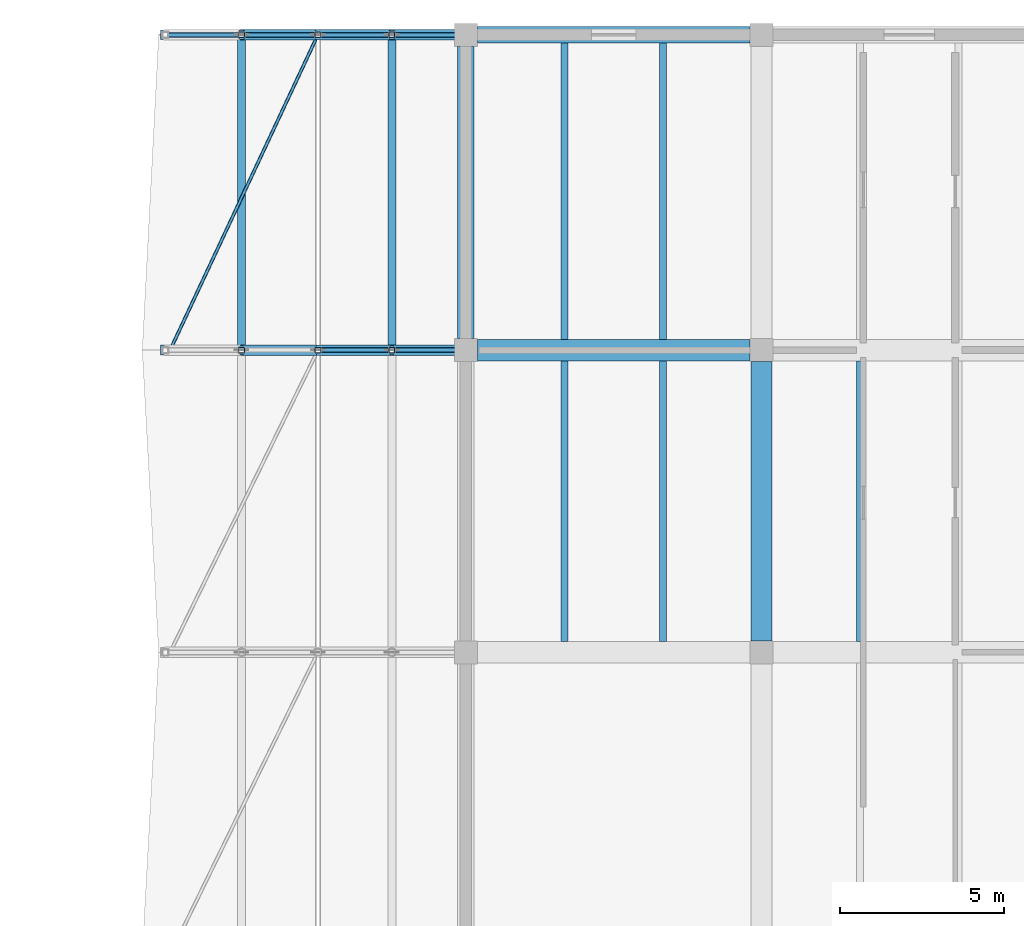
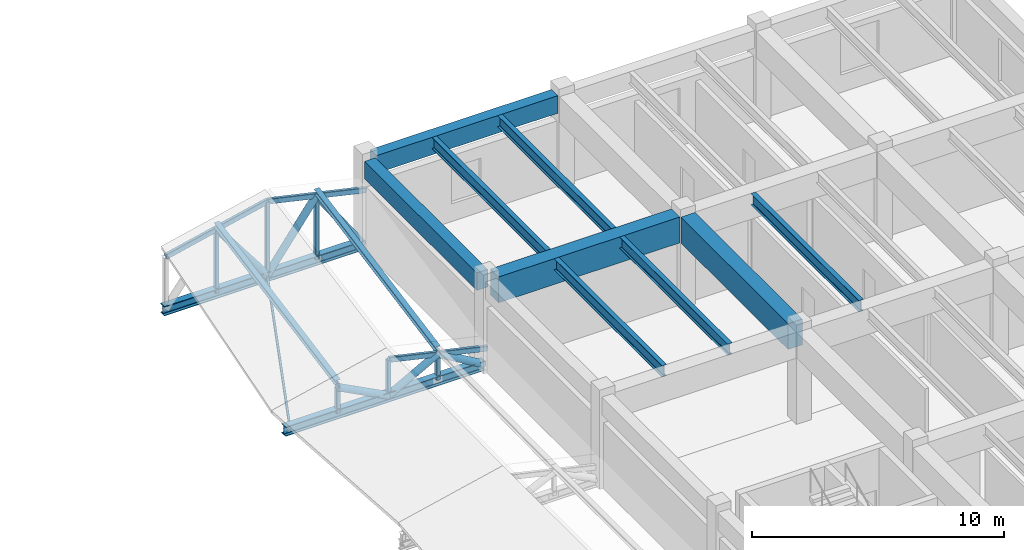
# One storey, part 45 of 90: 18 members, 11 beams.
"""IFC4 building model written with IfcOpenShell, lengths in metres."""

from ifc_helpers import new_model, si_unit, direction, frame, origin, origin_2d, place, context, subcontext, project, spatial, rectangle, hollow_rectangle, hollow_circle, i_section, extrude, material, material_profile, profile_set, type_object, element, save


model = new_model("IFC4")

# Units and contexts
model_context = context("Model", 3, precision=1e-05, world=origin(), true_north=direction((0.0, 1.0)))
body_context = subcontext(model_context, "Body", "Model", "MODEL_VIEW")
ifc_project = project(units=[si_unit("LENGTHUNIT", "METRE"), si_unit("AREAUNIT", "SQUARE_METRE"), si_unit("VOLUMEUNIT", "CUBIC_METRE"), si_unit("PLANEANGLEUNIT", "RADIAN"), si_unit("MASSUNIT", "GRAM", prefix="KILO")], contexts=[model_context])

# Site, building, storey
site_placement = place(None, origin())
site = spatial("IfcSite", under=ifc_project, at=site_placement, CompositionType="ELEMENT")
building_placement = place(site_placement, origin())
building = spatial("IfcBuilding", under=site, at=building_placement, Name="Bozkorgan Art Gallery", CompositionType="ELEMENT")
storey_placement = place(building_placement, frame((0.0, 0.0, 5.39990234375)))
storey = spatial("IfcBuildingStorey", under=building, at=storey_placement, Name="L01", CompositionType="ELEMENT", Elevation=5.39990234375)

# Beams
ifc_material_1 = material(Name="Concrete C35/45", Category="concrete")
ifc_material_profile_1 = material_profile(ifc_material_1, rectangle(XDim=0.64990234375, YDim=1.25, at=origin_2d()), Name="RC 650x1250")
ifc_profile_set_1 = profile_set([ifc_material_profile_1], Name="Concrete C35/45")
beam_type_1 = type_object("IfcBeamType", Name="BEAM-BM-54", PredefinedType="BEAM", material=ifc_profile_set_1)
beam_1_placement = place(storey_placement, frame((137.35009765625, 102.800048828125, 3.815185546875), z_axis=(1.0, 0.0, 0.0), x_axis=(0.0, 1.0, 0.0)))
element("IfcBeam", 1, at=beam_1_placement, inside=storey, type_object=beam_type_1, Name="V5 L01 beam X (137-146, 102.8)", PredefinedType="BEAM", context=body_context, shape_type="SweptSolid", body=[
    extrude(rectangle(XDim=0.64990234375, YDim=1.25, at=origin_2d()), origin(), (0.0, 0.0, 1.0), 8.2998046875),
])
beam_2_placement = place(storey_placement, frame((146.0, 93.949951171875, 3.815185546875), z_axis=(0.0, 1.0, 0.0), x_axis=(-1.0, 0.0, 0.0)))
element("IfcBeam", 2, at=beam_2_placement, inside=storey, type_object=beam_type_1, Name="V5 L01 beam Y (146, 93.6-102.8)", PredefinedType="BEAM", context=body_context, shape_type="SweptSolid", body=[
    extrude(rectangle(XDim=0.64990234375, YDim=1.25, at=origin_2d()), origin(), (0.0, 0.0, 1.0), 8.5),
])
ifc_material_2 = material(Name="Steel S355J2", Category="steel")
ifc_material_profile_2 = material_profile(ifc_material_2, i_section(OverallWidth=0.2099609375, OverallDepth=0.550048828125, WebThickness=0.010986328125, FlangeThickness=0.01708984375, FilletRadius=0.02392578125, at=origin_2d()), Name="IPE 550")
ifc_profile_set_2 = profile_set([ifc_material_profile_2], Name="Steel S355J2")
beam_type_2 = type_object("IfcBeamType", Name="BEAM-JS-62", PredefinedType="JOIST", material=ifc_profile_set_2)
for number, where, z_axis, x_axis, name in (
    (3, (140.0, 93.925048828125, 4.1650390625), (0.0, 1.0, 0.0), (-1.0, 0.0, 0.0), "V5 L01 secondary joist (137-146, 93.6-102.8) #1"),
    (4, (143.0, 93.925048828125, 4.1650390625), (0.0, 1.0, 0.0), (-1.0, 0.0, 0.0), "V5 L01 secondary joist (137-146, 93.6-102.8) #2"),
):
    element("IfcBeam", number, at=place(storey_placement, frame(where, z_axis=z_axis, x_axis=x_axis)), inside=storey, type_object=beam_type_2, Name=name, PredefinedType="JOIST", context=body_context, shape_type="SweptSolid", body=[
        extrude(i_section(OverallWidth=0.2099609375, OverallDepth=0.550048828125, WebThickness=0.010986328125, FlangeThickness=0.01708984375, FilletRadius=0.02392578125, at=origin_2d()), origin(), (0.0, 0.0, 1.0), 8.550048828125),
    ])
for number, where, z_axis, x_axis, name in (
    (5, (140.0, 103.125, 4.1650390625), (0.0, 1.0, 0.0), (-1.0, 0.0, 0.0), "V5 L01 secondary joist (137-146, 102.8-112.4) #1"),
    (6, (143.0, 103.125, 4.1650390625), (0.0, 1.0, 0.0), (-1.0, 0.0, 0.0), "V5 L01 secondary joist (137-146, 102.8-112.4) #2"),
):
    element("IfcBeam", number, at=place(storey_placement, frame(where, z_axis=z_axis, x_axis=x_axis)), inside=storey, type_object=beam_type_2, Name=name, PredefinedType="JOIST", context=body_context, shape_type="SweptSolid", body=[
        extrude(i_section(OverallWidth=0.2099609375, OverallDepth=0.550048828125, WebThickness=0.010986328125, FlangeThickness=0.01708984375, FilletRadius=0.02392578125, at=origin_2d()), origin(), (0.0, 0.0, 1.0), 9.02490234375),
    ])
beam_3_placement = place(storey_placement, frame((149.0, 93.925048828125, 4.1650390625), z_axis=(0.0, 1.0, 0.0), x_axis=(-1.0, 0.0, 0.0)))
element("IfcBeam", 7, at=beam_3_placement, inside=storey, type_object=beam_type_2, Name="V5 L01 secondary joist (146-155, 93.6-102.8) #1", PredefinedType="JOIST", context=body_context, shape_type="SweptSolid", body=[
    extrude(i_section(OverallWidth=0.2099609375, OverallDepth=0.550048828125, WebThickness=0.010986328125, FlangeThickness=0.01708984375, FilletRadius=0.02392578125, at=origin_2d()), origin(), (0.0, 0.0, 1.0), 8.550048828125),
])
ifc_material_profile_3 = material_profile(ifc_material_1, rectangle(XDim=0.5, YDim=0.85009765625, at=origin_2d()), Name="RC 500x850")
ifc_profile_set_3 = profile_set([ifc_material_profile_3], Name="Concrete C35/45")
beam_type_3 = type_object("IfcBeamType", Name="BEAM-SP-30", PredefinedType="SPANDREL", material=ifc_profile_set_3)
beam_4_placement = place(storey_placement, frame((137.35009765625, 112.39990234375, 4.01513671875), z_axis=(1.0, 0.0, 0.0), x_axis=(0.0, 1.0, 0.0)))
element("IfcBeam", 8, at=beam_4_placement, inside=storey, type_object=beam_type_3, Name="V5 L01 spandrel X (137-146, 112.4)", PredefinedType="SPANDREL", context=body_context, shape_type="SweptSolid", body=[
    extrude(rectangle(XDim=0.5, YDim=0.85009765625, at=origin_2d()), origin(), (0.0, 0.0, 1.0), 8.2998046875),
])
beam_5_placement = place(storey_placement, frame((137.0, 103.14990234375, 4.01513671875), z_axis=(0.0, 1.0, 0.0), x_axis=(-1.0, 0.0, 0.0)))
element("IfcBeam", 9, at=beam_5_placement, inside=storey, type_object=beam_type_3, Name="V5 L01 spandrel Y (137, 102.8-112.4)", PredefinedType="SPANDREL", context=body_context, shape_type="SweptSolid", body=[
    extrude(rectangle(XDim=0.5, YDim=0.85009765625, at=origin_2d()), origin(), (0.0, 0.0, 1.0), 8.900146484375),
])
ifc_material_profile_4 = material_profile(ifc_material_2, i_section(OverallWidth=0.300048828125, OverallDepth=0.449951171875, WebThickness=0.013916015625, FlangeThickness=0.02587890625, FilletRadius=0.027099609375, at=origin_2d()), Name="HEB 450")
ifc_profile_set_4 = profile_set([ifc_material_profile_4], Name="Steel S355J2")
beam_type_4 = type_object("IfcBeamType", Name="BEAM-TB-37", PredefinedType="BEAM", material=ifc_profile_set_4)
for number, where, z_axis, x_axis, name in (
    (10, (127.7099609375, 102.800048828125, 0.22509765625), (1.0, 0.0, 0.0), (0.0, 1.0, 0.0), "ROOF-V5-DOCK roof truss 5 bottom chord"),
    (11, (127.7099609375, 112.39990234375, 0.22509765625), (1.0, 0.0, 0.0), (0.0, 1.0, 0.0), "ROOF-V5-DOCK roof truss 6 bottom chord"),
):
    element("IfcBeam", number, at=place(storey_placement, frame(where, z_axis=z_axis, x_axis=x_axis)), inside=storey, type_object=beam_type_4, Name=name, PredefinedType="BEAM", context=body_context, shape_type="SweptSolid", body=[
        extrude(i_section(OverallWidth=0.300048828125, OverallDepth=0.449951171875, WebThickness=0.013916015625, FlangeThickness=0.02587890625, FilletRadius=0.027099609375, at=origin_2d()), origin(), (0.0, 0.0, 1.0), 9.14013671875),
    ])

# Members
ifc_material_profile_5 = material_profile(ifc_material_2, i_section(OverallWidth=0.239990234375, OverallDepth=0.22998046875, WebThickness=0.007568359375, FlangeThickness=0.011962890625, FilletRadius=0.02099609375, at=origin_2d()), Name="HEA 240")
ifc_profile_set_5 = profile_set([ifc_material_profile_5], Name="Steel S355J2")
member_type_1 = type_object("IfcMemberType", Name="MEMBER-PR-93", PredefinedType="PURLIN", material=ifc_profile_set_5)
for number, where, z_axis, x_axis, name in (
    (12, (130.175048828125, 102.800048828125, 1.676025390625), (0.0, 0.98217619381, 0.187962560932), (-1.0, 0.0, 0.0), "ROOF-V5-DOCK roof purlin 5W"),
    (13, (134.75, 102.800048828125, 1.693115234375), (0.0, 0.98217619381, 0.187962560932), (-1.0, 0.0, 0.0), "ROOF-V5-DOCK roof purlin 5E"),
):
    element("IfcMember", number, at=place(storey_placement, frame(where, z_axis=z_axis, x_axis=x_axis)), inside=storey, type_object=member_type_1, Name=name, PredefinedType="PURLIN", context=body_context, shape_type="SweptSolid", body=[
        extrude(i_section(OverallWidth=0.239990234375, OverallDepth=0.22998046875, WebThickness=0.007568359375, FlangeThickness=0.011962890625, FilletRadius=0.02099609375, at=origin_2d()), origin(), (0.0, 0.0, 1.0), 9.774169921875),
    ])
ifc_material_profile_6 = material_profile(ifc_material_2, hollow_rectangle(XDim=0.14990234375, YDim=0.25, WallThickness=0.010009765625, InnerFilletRadius=0.014892578125, OuterFilletRadius=0.02490234375, at=origin_2d()), Name="RHS 250x150x10")
ifc_profile_set_6 = profile_set([ifc_material_profile_6], Name="Steel S355J2")
member_type_2 = type_object("IfcMemberType", Name="MEMBER-TC-35", PredefinedType="CHORD", material=ifc_profile_set_6)
member_1_placement = place(storey_placement, frame((132.5, 102.800048828125, 1.964111328125), z_axis=(0.975156756399, 0.0, -0.221515914662), x_axis=(0.0, 1.0, 0.0)))
element("IfcMember", 14, at=member_1_placement, inside=storey, type_object=member_type_2, Name="ROOF-V5-DOCK roof truss 5 east top chord", PredefinedType="CHORD", context=body_context, shape_type="SweptSolid", body=[
    extrude(hollow_rectangle(XDim=0.14990234375, YDim=0.25, WallThickness=0.010009765625, InnerFilletRadius=0.014892578125, OuterFilletRadius=0.02490234375, at=origin_2d()), origin(), (0.0, 0.0, 1.0), 4.61474609375),
])
member_2_placement = place(storey_placement, frame((127.85009765625, 112.39990234375, 2.7451171875), z_axis=(0.975150958549, 0.0, 0.221541436398), x_axis=(0.0, 1.0, 0.0)))
element("IfcMember", 15, at=member_2_placement, inside=storey, type_object=member_type_2, Name="ROOF-V5-DOCK roof truss 6 west top chord", PredefinedType="CHORD", context=body_context, shape_type="SweptSolid", body=[
    extrude(hollow_rectangle(XDim=0.14990234375, YDim=0.25, WallThickness=0.010009765625, InnerFilletRadius=0.014892578125, OuterFilletRadius=0.02490234375, at=origin_2d()), origin(), (0.0, 0.0, 1.0), 4.768310546875),
])
member_3_placement = place(storey_placement, frame((132.5, 112.39990234375, 3.801513671875), z_axis=(0.975145326943, 0.0, -0.221566223375), x_axis=(0.0, 1.0, 0.0)))
element("IfcMember", 16, at=member_3_placement, inside=storey, type_object=member_type_2, Name="ROOF-V5-DOCK roof truss 6 east top chord", PredefinedType="CHORD", context=body_context, shape_type="SweptSolid", body=[
    extrude(hollow_rectangle(XDim=0.14990234375, YDim=0.25, WallThickness=0.010009765625, InnerFilletRadius=0.014892578125, OuterFilletRadius=0.02490234375, at=origin_2d()), origin(), (0.0, 0.0, 1.0), 4.61474609375),
])
ifc_material_profile_7 = material_profile(ifc_material_2, hollow_rectangle(XDim=0.179931640625, YDim=0.179931640625, WallThickness=0.010009765625, InnerFilletRadius=0.014892578125, OuterFilletRadius=0.02490234375, at=origin_2d()), Name="SHS 180x180x10")
ifc_profile_set_7 = profile_set([ifc_material_profile_7], Name="Steel S355J2")
member_type_3 = type_object("IfcMemberType", Name="MEMBER-TP-98", PredefinedType="POST", material=ifc_profile_set_7)
member_4_placement = place(storey_placement, frame((130.175048828125, 102.800048828125, 0.22509765625), z_axis=(0.0, 0.0, 1.0), x_axis=(1.0, 0.0, 0.0)))
element("IfcMember", 17, at=member_4_placement, inside=storey, type_object=member_type_3, Name="ROOF-V5-DOCK roof truss 5 post 1", PredefinedType="POST", context=body_context, shape_type="SweptSolid", body=[
    extrude(hollow_rectangle(XDim=0.179931640625, YDim=0.179931640625, WallThickness=0.010009765625, InnerFilletRadius=0.014892578125, OuterFilletRadius=0.02490234375, at=origin_2d()), origin(), (0.0, 0.0, 1.0), 1.2109375),
])
member_5_placement = place(storey_placement, frame((132.5, 102.800048828125, 0.22509765625), z_axis=(0.0, 0.0, 1.0), x_axis=(1.0, 0.0, 0.0)))
element("IfcMember", 18, at=member_5_placement, inside=storey, type_object=member_type_3, Name="ROOF-V5-DOCK roof truss 5 post 2", PredefinedType="POST", context=body_context, shape_type="SweptSolid", body=[
    extrude(hollow_rectangle(XDim=0.179931640625, YDim=0.179931640625, WallThickness=0.010009765625, InnerFilletRadius=0.014892578125, OuterFilletRadius=0.02490234375, at=origin_2d()), origin(), (0.0, 0.0, 1.0), 1.739013671875),
])
member_6_placement = place(storey_placement, frame((134.75, 102.800048828125, 0.22509765625), z_axis=(0.0, 0.0, 1.0), x_axis=(1.0, 0.0, 0.0)))
element("IfcMember", 19, at=member_6_placement, inside=storey, type_object=member_type_3, Name="ROOF-V5-DOCK roof truss 5 post 3", PredefinedType="POST", context=body_context, shape_type="SweptSolid", body=[
    extrude(hollow_rectangle(XDim=0.179931640625, YDim=0.179931640625, WallThickness=0.010009765625, InnerFilletRadius=0.014892578125, OuterFilletRadius=0.02490234375, at=origin_2d()), origin(), (0.0, 0.0, 1.0), 1.227783203125),
])
member_7_placement = place(storey_placement, frame((130.175048828125, 112.39990234375, 0.22509765625), z_axis=(0.0, 0.0, 1.0), x_axis=(1.0, 0.0, 0.0)))
element("IfcMember", 20, at=member_7_placement, inside=storey, type_object=member_type_3, Name="ROOF-V5-DOCK roof truss 6 post 1", PredefinedType="POST", context=body_context, shape_type="SweptSolid", body=[
    extrude(hollow_rectangle(XDim=0.179931640625, YDim=0.179931640625, WallThickness=0.010009765625, InnerFilletRadius=0.014892578125, OuterFilletRadius=0.02490234375, at=origin_2d()), origin(), (0.0, 0.0, 1.0), 3.048095703125),
])
member_8_placement = place(storey_placement, frame((132.5, 112.39990234375, 0.22509765625), z_axis=(0.0, 0.0, 1.0), x_axis=(1.0, 0.0, 0.0)))
element("IfcMember", 21, at=member_8_placement, inside=storey, type_object=member_type_3, Name="ROOF-V5-DOCK roof truss 6 post 2", PredefinedType="POST", context=body_context, shape_type="SweptSolid", body=[
    extrude(hollow_rectangle(XDim=0.179931640625, YDim=0.179931640625, WallThickness=0.010009765625, InnerFilletRadius=0.014892578125, OuterFilletRadius=0.02490234375, at=origin_2d()), origin(), (0.0, 0.0, 1.0), 3.576416015625),
])
member_9_placement = place(storey_placement, frame((134.75, 112.39990234375, 0.22509765625), z_axis=(0.0, 0.0, 1.0), x_axis=(1.0, 0.0, 0.0)))
element("IfcMember", 22, at=member_9_placement, inside=storey, type_object=member_type_3, Name="ROOF-V5-DOCK roof truss 6 post 3", PredefinedType="POST", context=body_context, shape_type="SweptSolid", body=[
    extrude(hollow_rectangle(XDim=0.179931640625, YDim=0.179931640625, WallThickness=0.010009765625, InnerFilletRadius=0.014892578125, OuterFilletRadius=0.02490234375, at=origin_2d()), origin(), (0.0, 0.0, 1.0), 3.065185546875),
])
ifc_material_profile_8 = material_profile(ifc_material_2, hollow_circle(Radius=0.161865234375, WallThickness=0.012451171875, at=origin_2d()), Name="CHS 323.9x12.5")
ifc_profile_set_8 = profile_set([ifc_material_profile_8], Name="Steel S355J2")
member_type_4 = type_object("IfcMemberType", Name="MEMBER-TW-97", PredefinedType="BRACE", material=ifc_profile_set_8)
member_10_placement = place(storey_placement, frame((130.175048828125, 102.800048828125, 1.43603515625), z_axis=(0.886910109506, 0.0, -0.461942050105), x_axis=(0.0, 1.0, 0.0)))
element("IfcMember", 23, at=member_10_placement, inside=storey, type_object=member_type_4, Name="ROOF-V5-DOCK roof truss 5 diagonal 2", PredefinedType="BRACE", context=body_context, shape_type="SweptSolid", body=[
    extrude(hollow_circle(Radius=0.161865234375, WallThickness=0.012451171875, at=origin_2d()), origin(), (0.0, 0.0, 1.0), 2.621337890625),
])
member_11_placement = place(storey_placement, frame((132.5, 102.800048828125, 0.22509765625), z_axis=(0.877811837726, 0.0, 0.479005613273), x_axis=(0.0, 1.0, 0.0)))
element("IfcMember", 24, at=member_11_placement, inside=storey, type_object=member_type_4, Name="ROOF-V5-DOCK roof truss 5 diagonal 3", PredefinedType="BRACE", context=body_context, shape_type="SweptSolid", body=[
    extrude(hollow_circle(Radius=0.161865234375, WallThickness=0.012451171875, at=origin_2d()), origin(), (0.0, 0.0, 1.0), 2.563232421875),
])
member_12_placement = place(storey_placement, frame((134.75, 102.800048828125, 1.452880859375), z_axis=(0.863290739571, 0.0, -0.504706943653), x_axis=(0.0, 1.0, 0.0)))
element("IfcMember", 25, at=member_12_placement, inside=storey, type_object=member_type_4, Name="ROOF-V5-DOCK roof truss 5 diagonal 4", PredefinedType="BRACE", context=body_context, shape_type="SweptSolid", body=[
    extrude(hollow_circle(Radius=0.161865234375, WallThickness=0.012451171875, at=origin_2d()), origin(), (0.0, 0.0, 1.0), 2.4326171875),
])
member_13_placement = place(storey_placement, frame((130.175048828125, 112.39990234375, 3.273193359375), z_axis=(0.606471013151, 0.0, -0.795105596891), x_axis=(0.0, 1.0, 0.0)))
element("IfcMember", 26, at=member_13_placement, inside=storey, type_object=member_type_4, Name="ROOF-V5-DOCK roof truss 6 diagonal 2", PredefinedType="BRACE", context=body_context, shape_type="SweptSolid", body=[
    extrude(hollow_circle(Radius=0.161865234375, WallThickness=0.012451171875, at=origin_2d()), origin(), (0.0, 0.0, 1.0), 3.83349609375),
])
member_14_placement = place(storey_placement, frame((132.5, 112.39990234375, 0.22509765625), z_axis=(0.591739382252, 0.0, 0.806129334221), x_axis=(0.0, 1.0, 0.0)))
element("IfcMember", 27, at=member_14_placement, inside=storey, type_object=member_type_4, Name="ROOF-V5-DOCK roof truss 6 diagonal 3", PredefinedType="BRACE", context=body_context, shape_type="SweptSolid", body=[
    extrude(hollow_circle(Radius=0.161865234375, WallThickness=0.012451171875, at=origin_2d()), origin(), (0.0, 0.0, 1.0), 3.80224609375),
])
member_15_placement = place(storey_placement, frame((134.75, 112.39990234375, 3.290283203125), z_axis=(0.565209082939, 0.0, -0.824947690804), x_axis=(0.0, 1.0, 0.0)))
element("IfcMember", 28, at=member_15_placement, inside=storey, type_object=member_type_4, Name="ROOF-V5-DOCK roof truss 6 diagonal 4", PredefinedType="BRACE", context=body_context, shape_type="SweptSolid", body=[
    extrude(hollow_circle(Radius=0.161865234375, WallThickness=0.012451171875, at=origin_2d()), origin(), (0.0, 0.0, 1.0), 3.715576171875),
])
ifc_material_profile_9 = material_profile(ifc_material_2, hollow_rectangle(XDim=0.10009765625, YDim=0.14990234375, WallThickness=0.008056640625, InnerFilletRadius=0.011962890625, OuterFilletRadius=0.02001953125, at=origin_2d()), Name="RHS 150x100x8")
ifc_profile_set_9 = profile_set([ifc_material_profile_9], Name="Steel S355J2")
member_type_5 = type_object("IfcMemberType", Name="MEMBER-WB-10", PredefinedType="BRACE", material=ifc_profile_set_9)
member_16_placement = place(storey_placement, frame((128.0, 102.800048828125, 0.22509765625), z_axis=(0.424439185961, 0.905456447004, 0.0), x_axis=(-0.905456447004, 0.424439185961, 0.0)))
element("IfcMember", 29, at=member_16_placement, inside=storey, type_object=member_type_5, Name="ROOF-V5-DOCK roof diaphragm wind brace 5", PredefinedType="BRACE", context=body_context, shape_type="SweptSolid", body=[
    extrude(hollow_rectangle(XDim=0.10009765625, YDim=0.14990234375, WallThickness=0.008056640625, InnerFilletRadius=0.011962890625, OuterFilletRadius=0.02001953125, at=origin_2d()), origin(), (0.0, 0.0, 1.0), 10.602294921875),
])

save(model, "model.ifc")
